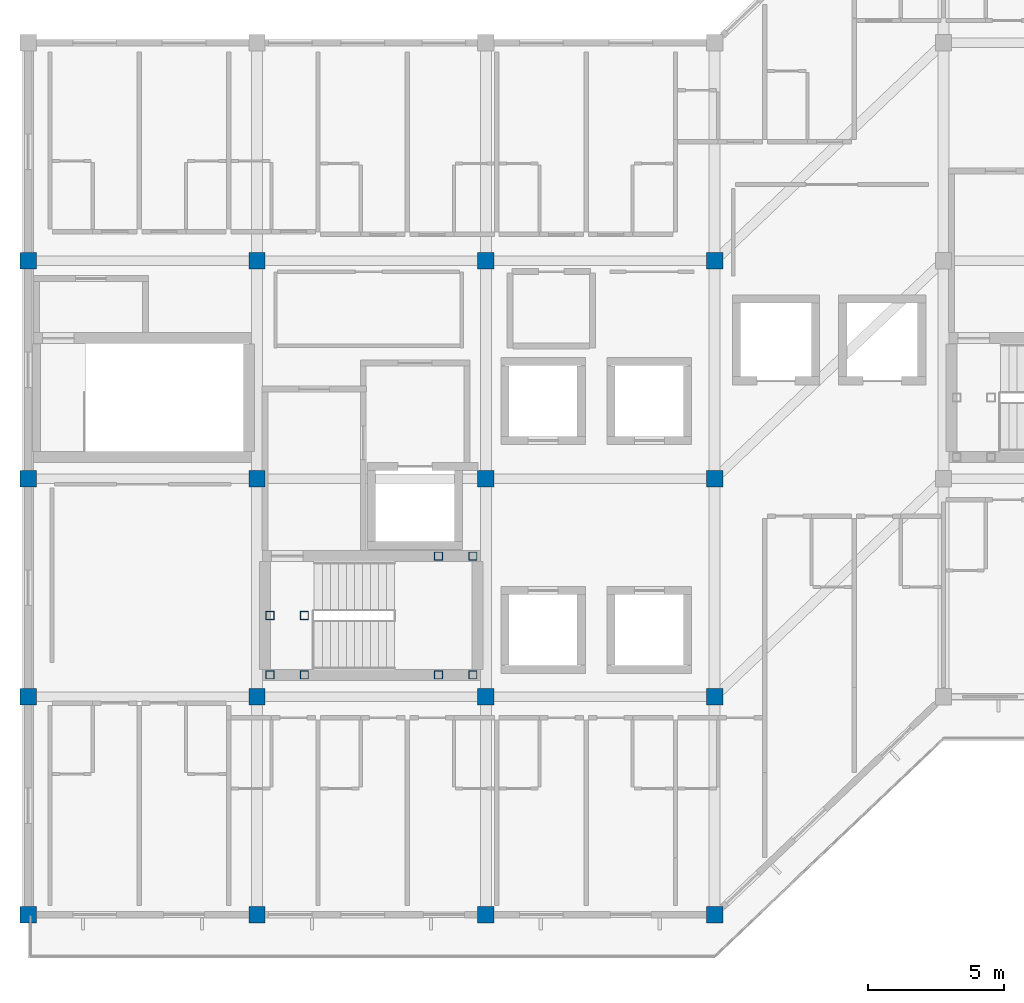
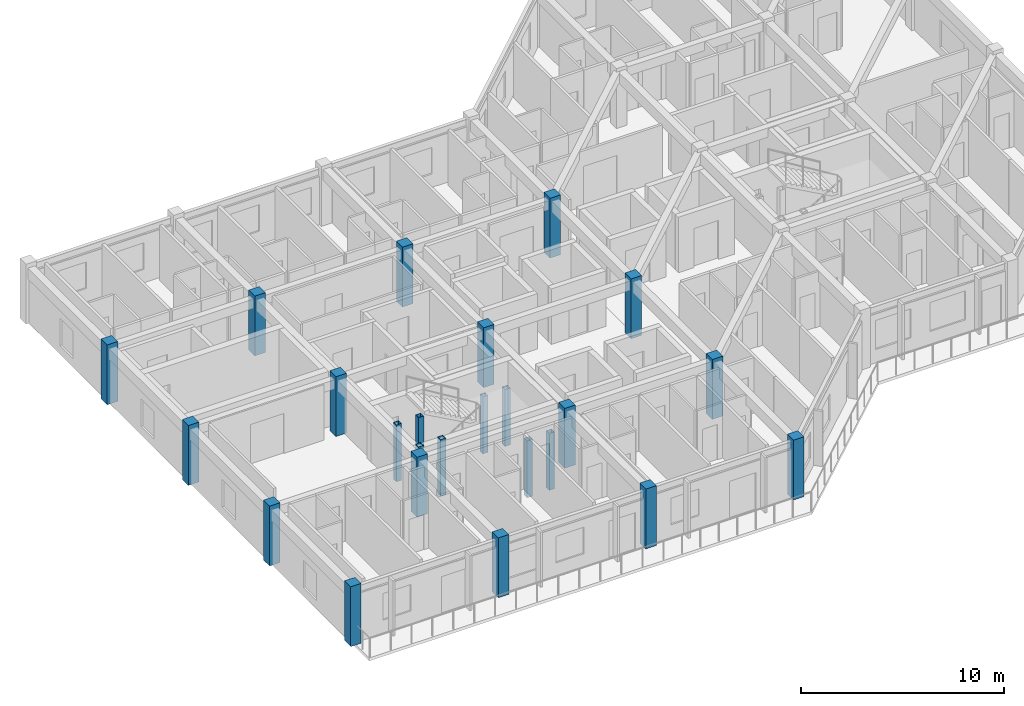
# One storey, part 1 of 14: 24 columns.
"""IFC4 building model written with IfcOpenShell, lengths in metres."""

from ifc_helpers import new_model, si_unit, direction, frame, origin, origin_2d, place, context, subcontext, project, spatial, rectangle, hollow_rectangle, extrude, material, material_profile, profile_set, type_object, element, save


model = new_model("IFC4")

# Units and contexts
model_context = context("Model", 3, precision=1e-05, world=origin(), true_north=direction((0.0, 1.0)))
body_context = subcontext(model_context, "Body", "Model", "MODEL_VIEW")
ifc_project = project(units=[si_unit("LENGTHUNIT", "METRE"), si_unit("AREAUNIT", "SQUARE_METRE"), si_unit("VOLUMEUNIT", "CUBIC_METRE"), si_unit("PLANEANGLEUNIT", "RADIAN"), si_unit("MASSUNIT", "GRAM", prefix="KILO")], contexts=[model_context])

# Site, building, storey
site_placement = place(None, origin())
site = spatial("IfcSite", under=ifc_project, at=site_placement, CompositionType="ELEMENT")
building_placement = place(site_placement, origin())
building = spatial("IfcBuilding", under=site, at=building_placement, Name="Naruveol Harbour Congress Hotel", CompositionType="ELEMENT")
storey_placement = place(building_placement, frame((0.0, 0.0, 39.60009765625)))
storey = spatial("IfcBuildingStorey", under=building, at=storey_placement, Name="L09", CompositionType="ELEMENT", Elevation=39.60009765625)

# Columns
ifc_material_1 = material(Name="Concrete C40/50", Category="concrete")
ifc_material_profile_1 = material_profile(ifc_material_1, rectangle(XDim=0.60009765625, YDim=0.60009765625, at=origin_2d()), Name="RC-600x600")
ifc_profile_set_1 = profile_set([ifc_material_profile_1], Name="Concrete C40/50")
column_type_1 = type_object("IfcColumnType", Name="RC UPPER COLUMN 600X600", PredefinedType="COLUMN", material=ifc_profile_set_1)
for number, where, z_axis, x_axis, name in (
    (1, (117.60009765625, 0.0, 0.0), (0.0, 0.0, 1.0), (1.0, 0.0, 0.0), "Column C-600 L09 (117.6,0.0)"),
    (2, (117.60009765625, 16.0, 0.0), (0.0, 0.0, 1.0), (1.0, 0.0, 0.0), "Column C-600 L09 (117.6,16.0)"),
    (3, (126.0, 0.0, 0.0), (0.0, 0.0, 1.0), (1.0, 0.0, 0.0), "Column C-600 L09 (126.0,0.0)"),
    (4, (126.0, 16.0, 0.0), (0.0, 0.0, 1.0), (1.0, 0.0, 0.0), "Column C-600 L09 (126.0,16.0)"),
    (5, (134.39990234375, 0.0, 0.0), (0.0, 0.0, 1.0), (1.0, 0.0, 0.0), "Column C-600 L09 (134.4,0.0)"),
    (6, (134.39990234375, 16.0, 0.0), (0.0, 0.0, 1.0), (1.0, 0.0, 0.0), "Column C-600 L09 (134.4,16.0)"),
    (7, (142.800048828125, 0.0, 0.0), (0.0, 0.0, 1.0), (1.0, 0.0, 0.0), "Column C-600 L09 (142.8,0.0)"),
    (8, (142.800048828125, 16.0, 0.0), (0.0, 0.0, 1.0), (1.0, 0.0, 0.0), "Column C-600 L09 (142.8,16.0)"),
    (9, (117.60009765625, 8.0, 0.0), (0.0, 0.0, 1.0), (1.0, 0.0, 0.0), "Planted hotel column C-600 L09 S0/J1"),
    (10, (117.60009765625, 24.0, 0.0), (0.0, 0.0, 1.0), (1.0, 0.0, 0.0), "Planted hotel column C-600 L09 S0/J3"),
    (11, (126.0, 8.0, 0.0), (0.0, 0.0, 1.0), (1.0, 0.0, 0.0), "Planted hotel column C-600 L09 S1/J1"),
    (12, (126.0, 24.0, 0.0), (0.0, 0.0, 1.0), (1.0, 0.0, 0.0), "Planted hotel column C-600 L09 S1/J3"),
    (13, (134.39990234375, 8.0, 0.0), (0.0, 0.0, 1.0), (1.0, 0.0, 0.0), "Planted hotel column C-600 L09 S2/J1"),
    (14, (134.39990234375, 24.0, 0.0), (0.0, 0.0, 1.0), (1.0, 0.0, 0.0), "Planted hotel column C-600 L09 S2/J3"),
    (15, (142.800048828125, 8.0, 0.0), (0.0, 0.0, 1.0), (1.0, 0.0, 0.0), "Planted hotel column C-600 L09 S3/J1"),
    (16, (142.800048828125, 24.0, 0.0), (0.0, 0.0, 1.0), (1.0, 0.0, 0.0), "Planted hotel column C-600 L09 S3/J3"),
):
    element("IfcColumn", number, at=place(storey_placement, frame(where, z_axis=z_axis, x_axis=x_axis)), inside=storey, type_object=column_type_1, Name=name, PredefinedType="COLUMN", context=body_context, shape_type="SweptSolid", body=[
        extrude(rectangle(XDim=0.60009765625, YDim=0.60009765625, at=origin_2d()), origin(), (0.0, 0.0, 1.0), 3.599853515625),
    ])
ifc_material_2 = material(Name="Steel SN490", Category="steel")
ifc_material_profile_2 = material_profile(ifc_material_2, hollow_rectangle(XDim=0.300048828125, YDim=0.300048828125, WallThickness=0.011962890625, at=origin_2d()), Name="SHS-300x300x12")
ifc_profile_set_2 = profile_set([ifc_material_profile_2], Name="Steel SN490")
column_type_2 = type_object("IfcColumnType", Name="STEEL COLONNADE POST SHS300", PredefinedType="COLUMN", material=ifc_profile_set_2)
for number, where, z_axis, x_axis, name in (
    (17, (126.47998046875, 8.800048828125, 0.0), (0.0, 0.0, 1.0), (1.0, 0.0, 0.0), "Stair landing support post ST1W #11"),
    (18, (126.47998046875, 10.97998046875, 0.0), (0.0, 0.0, 1.0), (1.0, 0.0, 0.0), "Stair landing support post ST1W #23"),
    (19, (127.739990234375, 8.800048828125, 0.0), (0.0, 0.0, 1.0), (1.0, 0.0, 0.0), "Stair landing support post ST1W #35"),
    (20, (127.739990234375, 10.97998046875, 0.0), (0.0, 0.0, 1.0), (1.0, 0.0, 0.0), "Stair landing support post ST1W #47"),
    (21, (132.659912109375, 8.800048828125, -1.800048828125), (0.0, 0.0, 1.0), (1.0, 0.0, 0.0), "Stair landing support post ST1E #59"),
    (22, (132.659912109375, 13.159912109375, -1.800048828125), (0.0, 0.0, 1.0), (1.0, 0.0, 0.0), "Stair landing support post ST1E #71"),
    (23, (133.919921875, 8.800048828125, -1.800048828125), (0.0, 0.0, 1.0), (1.0, 0.0, 0.0), "Stair landing support post ST1E #83"),
    (24, (133.919921875, 13.159912109375, -1.800048828125), (0.0, 0.0, 1.0), (1.0, 0.0, 0.0), "Stair landing support post ST1E #95"),
):
    element("IfcColumn", number, at=place(storey_placement, frame(where, z_axis=z_axis, x_axis=x_axis)), inside=storey, type_object=column_type_2, Name=name, PredefinedType="COLUMN", context=body_context, shape_type="SweptSolid", body=[
        extrude(hollow_rectangle(XDim=0.300048828125, YDim=0.300048828125, WallThickness=0.011962890625, at=origin_2d()), origin(), (0.0, 0.0, 1.0), 3.419921875),
    ])

save(model, "model.ifc")
